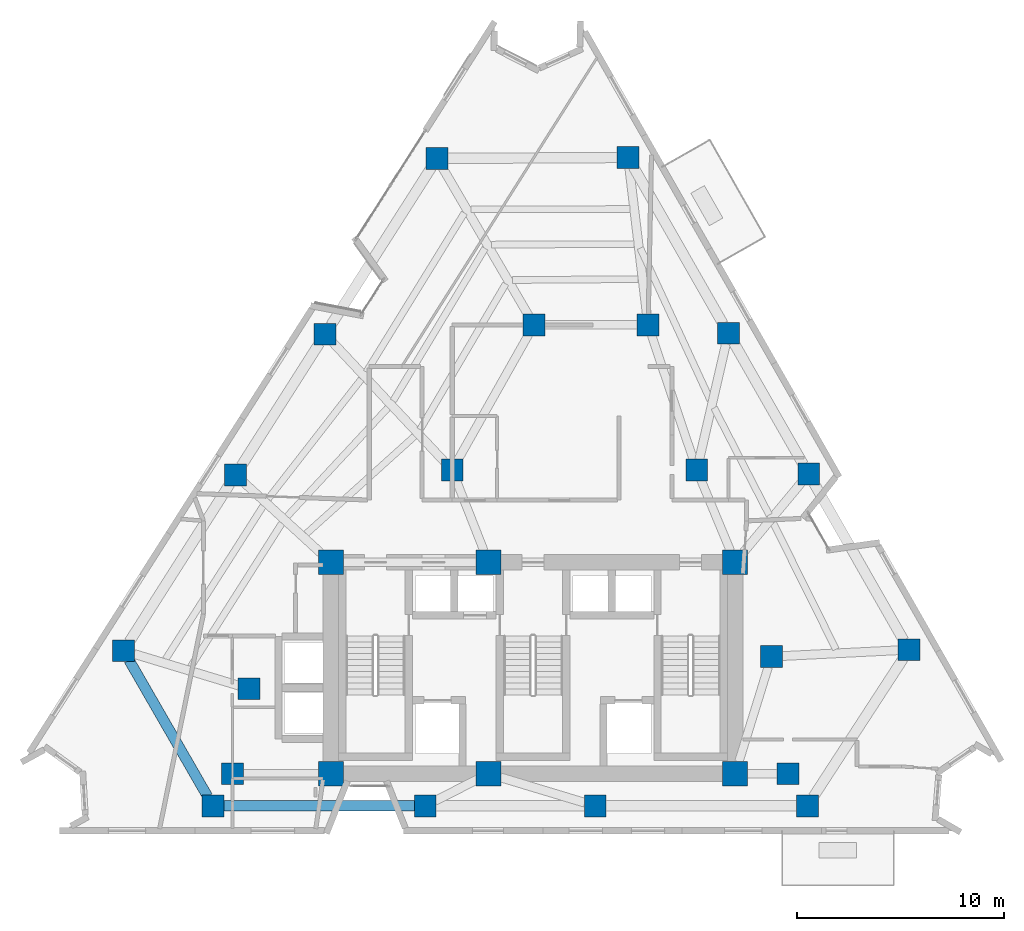
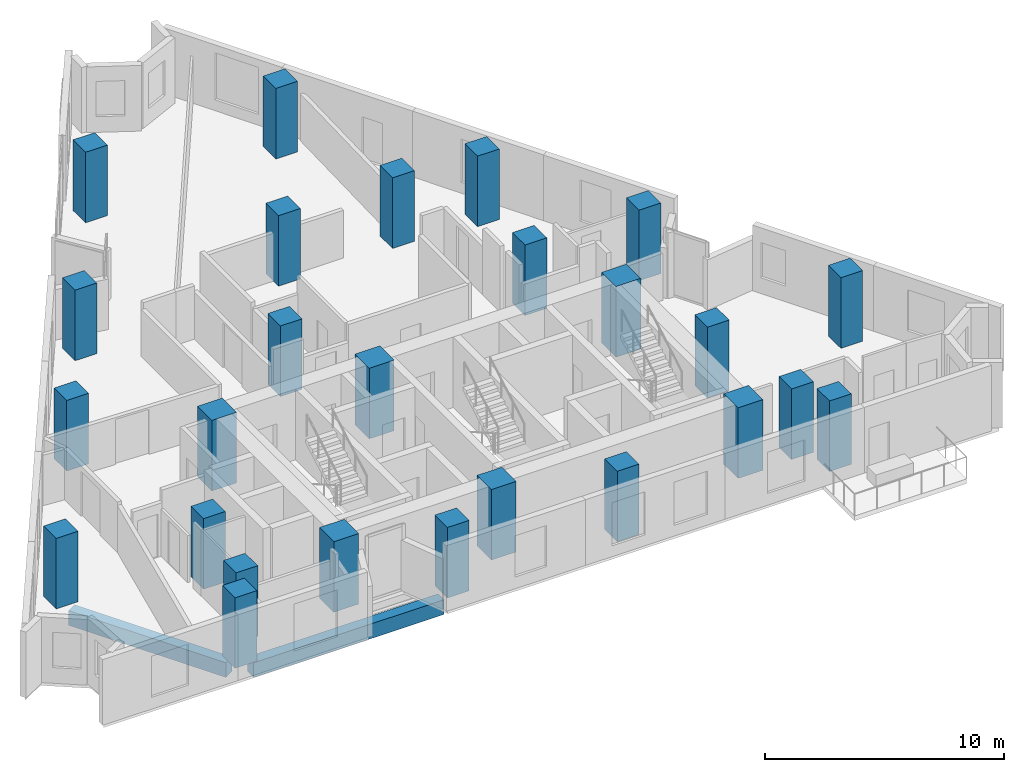
# One storey, part 1 of 12: 26 columns, 2 beams.
"""IFC4 building model written with IfcOpenShell, lengths in metres."""

from ifc_helpers import new_model, si_unit, direction, frame, origin, origin_2d, place, context, subcontext, project, spatial, rectangle, extrude, material, material_profile, profile_set, type_object, element, save


model = new_model("IFC4")

# Units and contexts
model_context = context("Model", 3, precision=1e-05, world=origin(), true_north=direction((0.0, 1.0)))
body_context = subcontext(model_context, "Body", "Model", "MODEL_VIEW")
ifc_project = project(units=[si_unit("LENGTHUNIT", "METRE"), si_unit("AREAUNIT", "SQUARE_METRE"), si_unit("VOLUMEUNIT", "CUBIC_METRE"), si_unit("PLANEANGLEUNIT", "RADIAN"), si_unit("MASSUNIT", "GRAM", prefix="KILO")], contexts=[model_context])

# Site, building, storey
site_placement = place(None, origin())
site = spatial("IfcSite", under=ifc_project, at=site_placement, CompositionType="ELEMENT")
building_placement = place(site_placement, origin())
building = spatial("IfcBuilding", under=site, at=building_placement, Name="Almagre Mirador Tower", CompositionType="ELEMENT")
storey_placement = place(building_placement, frame((0.0, 0.0, 139.199951171875)))
storey = spatial("IfcBuildingStorey", under=building, at=storey_placement, Name="L35", CompositionType="ELEMENT", Elevation=139.199951171875)

# Columns
ifc_material_1 = material(Name="Concrete C60/75", Category="concrete")
ifc_material_profile_1 = material_profile(ifc_material_1, rectangle(XDim=1.050048828125, YDim=1.050048828125, at=origin_2d()), Name="RC1050X1050")
ifc_profile_set_1 = profile_set([ifc_material_profile_1], Name="Concrete C60/75")
column_type_1 = type_object("IfcColumnType", Name="COL-RC1050", PredefinedType="COLUMN", material=ifc_profile_set_1)
for number, where, z_axis, x_axis, name in (
    (1, (22.800048828125, 4.550048828125, 0.0), (0.0, 0.0, 1.0), (1.0, 0.0, 0.0), "L35 interior transfer column MC1"),
    (2, (49.60009765625, 4.550048828125, 0.0), (0.0, 0.0, 1.0), (1.0, 0.0, 0.0), "L35 interior transfer column MC2"),
    (3, (48.800048828125, 10.199951171875, 0.0), (0.0, 0.0, 1.0), (1.0, 0.0, 0.0), "L35 interior transfer column MC3"),
    (4, (45.199951171875, 19.199951171875, 0.0), (0.0, 0.0, 1.0), (1.0, 0.0, 0.0), "L35 interior transfer column MC5"),
    (5, (42.85009765625, 26.199951171875, 0.0), (0.0, 0.0, 1.0), (1.0, 0.0, 0.0), "L35 interior transfer column MC6"),
    (6, (37.35009765625, 26.199951171875, 0.0), (0.0, 0.0, 1.0), (1.0, 0.0, 0.0), "L35 interior transfer column MC7"),
    (7, (33.39990234375, 19.199951171875, 0.0), (0.0, 0.0, 1.0), (1.0, 0.0, 0.0), "L35 interior transfer column MC8"),
    (8, (23.60009765625, 8.64990234375, 0.0), (0.0, 0.0, 1.0), (1.0, 0.0, 0.0), "L35 interior transfer column MC10"),
    (9, (21.864013671875, 3.0, 0.0), (0.0, 0.0, 1.0), (1.0, 0.0, 0.0), "L35 perimeter column PC01"),
    (10, (32.10400390625, 3.0, 0.0), (0.0, 0.0, 1.0), (1.0, 0.0, 0.0), "L35 perimeter column PC02"),
    (11, (40.2958984375, 3.0, 0.0), (0.0, 0.0, 1.0), (1.0, 0.0, 0.0), "L35 perimeter column PC03"),
    (12, (50.535888671875, 3.0, 0.0), (0.0, 0.0, 1.0), (1.0, 0.0, 0.0), "L35 perimeter column PC04"),
    (13, (55.43408203125, 10.532958984375, 0.0), (0.0, 0.0, 1.0), (1.0, 0.0, 0.0), "L35 perimeter column PC05"),
    (14, (50.593994140625, 19.012939453125, 0.0), (0.0, 0.0, 1.0), (1.0, 0.0, 0.0), "L35 perimeter column PC06"),
    (15, (46.721923828125, 25.797119140625, 0.0), (0.0, 0.0, 1.0), (1.0, 0.0, 0.0), "L35 perimeter column PC07"),
    (16, (41.882080078125, 34.277099609375, 0.0), (0.0, 0.0, 1.0), (1.0, 0.0, 0.0), "L35 perimeter column PC08"),
    (17, (32.672119140625, 34.22705078125, 0.0), (0.0, 0.0, 1.0), (1.0, 0.0, 0.0), "L35 perimeter column PC09"),
    (18, (27.27197265625, 25.7470703125, 0.0), (0.0, 0.0, 1.0), (1.0, 0.0, 0.0), "L35 perimeter column PC10"),
    (19, (22.951904296875, 18.962890625, 0.0), (0.0, 0.0, 1.0), (1.0, 0.0, 0.0), "L35 perimeter column PC11"),
    (20, (17.552001953125, 10.48291015625, 0.0), (0.0, 0.0, 1.0), (1.0, 0.0, 0.0), "L35 perimeter column PC12"),
):
    element("IfcColumn", number, at=place(storey_placement, frame(where, z_axis=z_axis, x_axis=x_axis)), inside=storey, type_object=column_type_1, Name=name, PredefinedType="COLUMN", context=body_context, shape_type="SweptSolid", body=[
        extrude(rectangle(XDim=1.050048828125, YDim=1.050048828125, at=origin_2d()), origin(), (0.0, 0.0, 1.0), 3.60009765625),
    ])
ifc_material_2 = material(Name="Concrete C60/75", Category="concrete")
ifc_material_profile_2 = material_profile(ifc_material_2, rectangle(XDim=1.199951171875, YDim=1.199951171875, at=origin_2d()), Name="RC1200X1200")
ifc_profile_set_2 = profile_set([ifc_material_profile_2], Name="Concrete C60/75")
column_type_2 = type_object("IfcColumnType", Name="COL-RC1200", PredefinedType="COLUMN", material=ifc_profile_set_2)
for number, where, z_axis, x_axis, name in (
    (21, (27.550048828125, 4.550048828125, 0.0), (0.0, 0.0, 1.0), (1.0, 0.0, 0.0), "L35 core spine column CC1"),
    (22, (35.14990234375, 4.550048828125, 0.0), (0.0, 0.0, 1.0), (1.0, 0.0, 0.0), "L35 core spine column CC2"),
    (23, (47.050048828125, 4.550048828125, 0.0), (0.0, 0.0, 1.0), (1.0, 0.0, 0.0), "L35 core spine column CC3"),
    (24, (27.550048828125, 14.75, 0.0), (0.0, 0.0, 1.0), (1.0, 0.0, 0.0), "L35 core spine column CC4"),
    (25, (35.14990234375, 14.75, 0.0), (0.0, 0.0, 1.0), (1.0, 0.0, 0.0), "L35 core spine column CC5"),
    (26, (47.050048828125, 14.75, 0.0), (0.0, 0.0, 1.0), (1.0, 0.0, 0.0), "L35 core spine column CC6"),
):
    element("IfcColumn", number, at=place(storey_placement, frame(where, z_axis=z_axis, x_axis=x_axis)), inside=storey, type_object=column_type_2, Name=name, PredefinedType="COLUMN", context=body_context, shape_type="SweptSolid", body=[
        extrude(rectangle(XDim=1.199951171875, YDim=1.199951171875, at=origin_2d()), origin(), (0.0, 0.0, 1.0), 3.60009765625),
    ])

# Beams
ifc_material_3 = material(Name="Precast concrete C50/60", Category="concrete")
ifc_material_profile_3 = material_profile(ifc_material_3, rectangle(XDim=0.5, YDim=0.75, at=origin_2d()), Name="RC500X750")
ifc_profile_set_3 = profile_set([ifc_material_profile_3], Name="Precast concrete C50/60")
beam_type = type_object("IfcBeamType", Name="BM-SPN-RC500X750", PredefinedType="SPANDREL", material=ifc_profile_set_3)
beam_1_placement = place(storey_placement, frame((22.388916015625, 3.0, -0.625), z_axis=(1.0, 0.0, 0.0), x_axis=(0.0, 1.0, 0.0)))
element("IfcBeam", 27, at=beam_1_placement, inside=storey, type_object=beam_type, Name="L35 perimeter spandrel beam PC01-PC02", PredefinedType="SPANDREL", context=body_context, shape_type="SweptSolid", body=[
    extrude(rectangle(XDim=0.5, YDim=0.75, at=origin_2d()), origin(), (0.0, 0.0, 1.0), 9.190185546875),
])
beam_2_placement = place(storey_placement, frame((17.814208984375, 10.028076171875, -0.625), z_axis=(0.499261771352, -0.866451200972, 0.0), x_axis=(0.866451200972, 0.499261771352, 0.0)))
element("IfcBeam", 28, at=beam_2_placement, inside=storey, type_object=beam_type, Name="L35 perimeter spandrel beam PC12-PC01", PredefinedType="SPANDREL", context=body_context, shape_type="SweptSolid", body=[
    extrude(rectangle(XDim=0.5, YDim=0.75, at=origin_2d()), origin(), (0.0, 0.0, 1.0), 7.58642578125),
])

save(model, "model.ifc")
